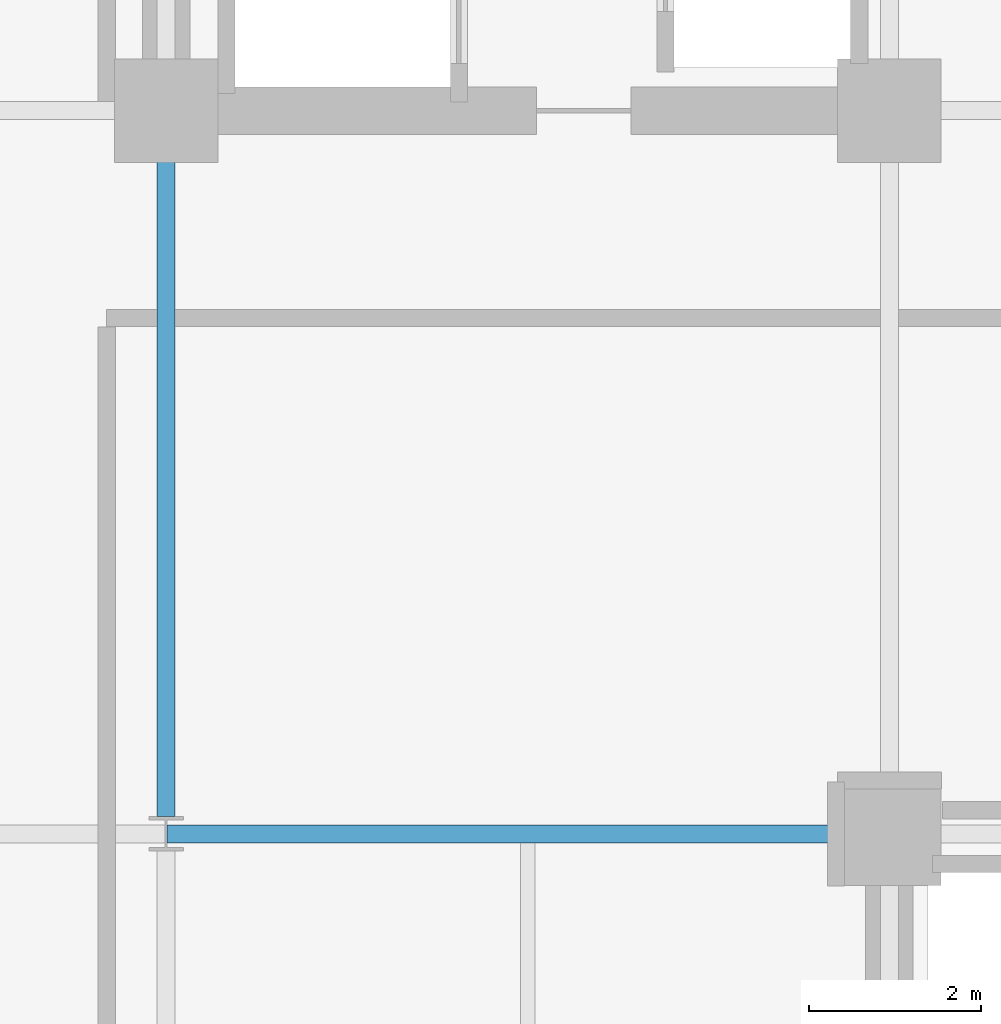
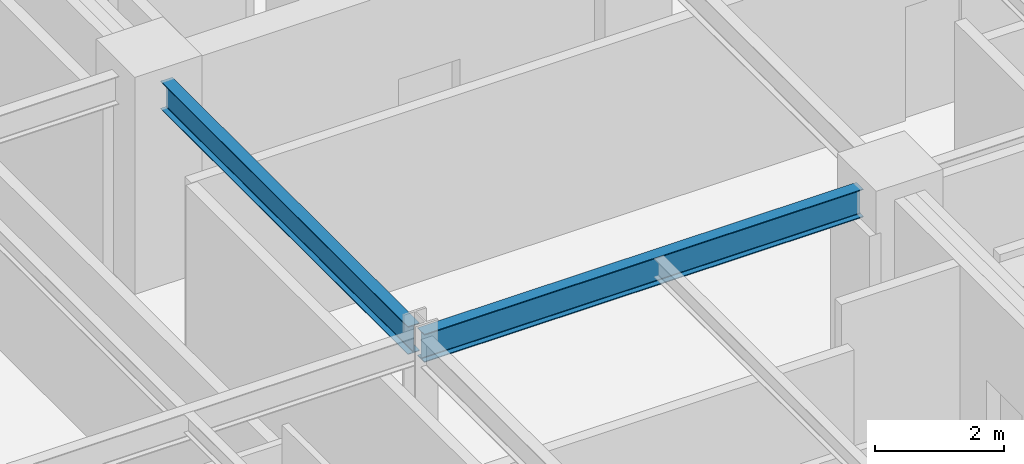
# One storey, part 12 of 38: 2 beams.
"""IFC4 building model written with IfcOpenShell, lengths in metres."""

from ifc_helpers import new_model, si_unit, direction, frame, origin, origin_2d, place, context, subcontext, project, spatial, i_section, extrude, material, material_profile, profile_set, type_object, element, save


model = new_model("IFC4")

# Units and contexts
model_context = context("Model", 3, precision=1e-05, world=origin(), true_north=direction((0.0, 1.0)))
body_context = subcontext(model_context, "Body", "Model", "MODEL_VIEW")
ifc_project = project(units=[si_unit("LENGTHUNIT", "METRE"), si_unit("AREAUNIT", "SQUARE_METRE"), si_unit("VOLUMEUNIT", "CUBIC_METRE"), si_unit("PLANEANGLEUNIT", "RADIAN"), si_unit("MASSUNIT", "GRAM", prefix="KILO")], contexts=[model_context])

# Site, building, storey
site_placement = place(None, origin())
site = spatial("IfcSite", under=ifc_project, at=site_placement, CompositionType="ELEMENT")
building_placement = place(site_placement, origin())
building = spatial("IfcBuilding", under=site, at=building_placement, Name="Nerrivon Quay Data Exchange", CompositionType="ELEMENT")
storey_placement = place(building_placement, frame((0.0, 0.0, 96.699951171875)))
storey = spatial("IfcBuildingStorey", under=building, at=storey_placement, Name="L22", CompositionType="ELEMENT", Elevation=96.699951171875)

# Beams
ifc_material = material(Name="Steel Grade 350", Category="steel")
ifc_material_profile_1 = material_profile(ifc_material, i_section(OverallWidth=0.208984375, OverallDepth=0.532958984375, WebThickness=0.01025390625, FlangeThickness=0.015625, FilletRadius=0.013916015625, at=origin_2d()), Name="530UB92.4")
ifc_profile_set_1 = profile_set([ifc_material_profile_1], Name="Steel Grade 350")
beam_type_1 = type_object("IfcBeamType", Name="BM-G3-530UB92", PredefinedType="BEAM", material=ifc_profile_set_1)
beam_1_placement = place(storey_placement, frame((8.41259765625, 16.800048828125, 3.55859375), z_axis=(1.0, 0.0, 0.0), x_axis=(0.0, 1.0, 0.0)))
element("IfcBeam", 1, at=beam_1_placement, inside=storey, type_object=beam_type_1, Name="L22 EW Girder Y=16.8 (8.4..16.8)", PredefinedType="BEAM", context=body_context, shape_type="SweptSolid", body=[
    extrude(i_section(OverallWidth=0.208984375, OverallDepth=0.532958984375, WebThickness=0.01025390625, FlangeThickness=0.015625, FilletRadius=0.013916015625, at=origin_2d()), origin(), (0.0, 0.0, 1.0), 7.847412109375),
])
ifc_material_profile_2 = material_profile(ifc_material, i_section(OverallWidth=0.208984375, OverallDepth=0.528076171875, WebThickness=0.009521484375, FlangeThickness=0.01318359375, FilletRadius=0.013916015625, at=origin_2d()), Name="530UB82.0")
ifc_profile_set_2 = profile_set([ifc_material_profile_2], Name="Steel Grade 350")
beam_type_2 = type_object("IfcBeamType", Name="BM-G4-530UB82", PredefinedType="BEAM", material=ifc_profile_set_2)
beam_2_placement = place(storey_placement, frame((8.39990234375, 17.0, 3.56103515625), z_axis=(0.0, 1.0, 0.0), x_axis=(-1.0, 0.0, 0.0)))
element("IfcBeam", 2, at=beam_2_placement, inside=storey, type_object=beam_type_2, Name="L22 NS Girder X=8.4 (16.8..25.2)", PredefinedType="BEAM", context=body_context, shape_type="SweptSolid", body=[
    extrude(i_section(OverallWidth=0.208984375, OverallDepth=0.528076171875, WebThickness=0.009521484375, FlangeThickness=0.01318359375, FilletRadius=0.013916015625, at=origin_2d()), origin(), (0.0, 0.0, 1.0), 7.659912109375),
])

save(model, "model.ifc")
